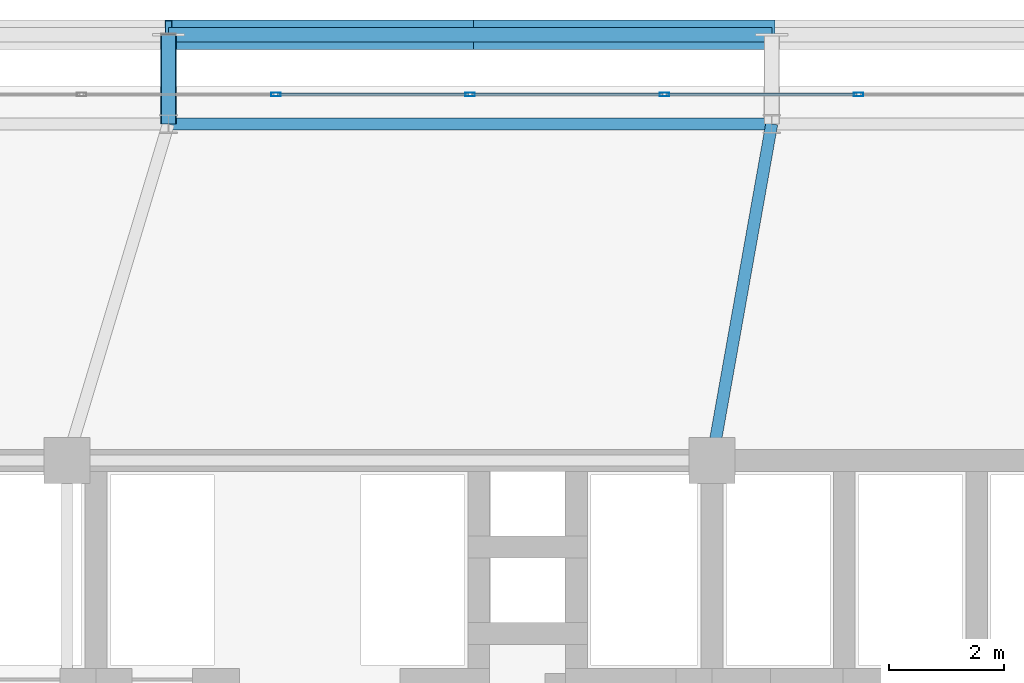
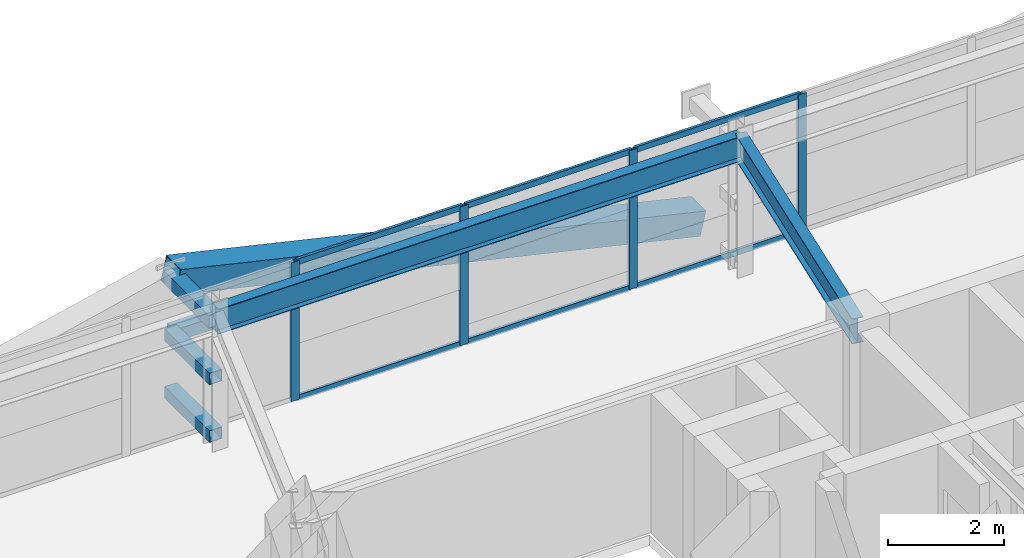
# One storey, part 37 of 59: 16 members, 2 beams, 1 element without a shape of its own.
"""IFC4 building model written with IfcOpenShell, lengths in metres."""

from ifc_helpers import new_model, si_unit, direction, frame, origin, origin_2d, place, context, subcontext, project, spatial, hollow_rectangle, i_section, extrude, source, transform, mapped, material, layer, layer_set, material_profile, profile_set, type_object, element, aggregate, save


model = new_model("IFC4")

# Units and contexts
model_context = context("Model", 3, precision=1e-05, world=origin(), true_north=direction((0.0, 1.0)))
body_context = subcontext(model_context, "Body", "Model", "MODEL_VIEW")
ifc_project = project(units=[si_unit("LENGTHUNIT", "METRE"), si_unit("AREAUNIT", "SQUARE_METRE"), si_unit("VOLUMEUNIT", "CUBIC_METRE"), si_unit("PLANEANGLEUNIT", "RADIAN"), si_unit("MASSUNIT", "GRAM", prefix="KILO")], contexts=[model_context])

# Site, building, storey
site_placement = place(None, origin())
site = spatial("IfcSite", under=ifc_project, at=site_placement, CompositionType="ELEMENT")
building_placement = place(site_placement, origin())
building = spatial("IfcBuilding", under=site, at=building_placement, Name="Taldren Reach Tower", CompositionType="ELEMENT")
storey_placement = place(building_placement, frame((0.0, 0.0, 45.14990234375)))
storey = spatial("IfcBuildingStorey", under=building, at=storey_placement, Name="L13", CompositionType="ELEMENT", Elevation=45.14990234375)

# Beams
ifc_material_1 = material(Name="Steel Gr 350 (350PLUS)", Category="steel")
ifc_material_profile_1 = material_profile(ifc_material_1, i_section(OverallWidth=0.208984375, OverallDepth=0.528076171875, WebThickness=0.009521484375, FlangeThickness=0.01318359375, at=origin_2d()), Name="530UB82.0")
ifc_profile_set_1 = profile_set([ifc_material_profile_1], Name="Steel Gr 350 (350PLUS)")
beam_type_1 = type_object("IfcBeamType", Name="SP-UB530B", PredefinedType="SPANDREL", material=ifc_profile_set_1)
shared_shape_1 = source(origin(), body_context, "Body", "SweptSolid", [
    extrude(i_section(OverallWidth=0.208984375, OverallDepth=0.528076171875, WebThickness=0.009521484375, FlangeThickness=0.01318359375, at=origin_2d()), origin(), (0.0, 0.0, 1.0), 10.47998046875),
])
beam_1_placement = place(storey_placement, frame((40.239990234375, 37.85009765625, 2.666015625), z_axis=(-1.0, 0.0, 0.0), x_axis=(0.0, -1.0, 0.0)))
element("IfcBeam", 1, at=beam_1_placement, inside=storey, type_object=beam_type_1, Name="Perimeter spandrel B1 N4-N3 L13", PredefinedType="SPANDREL", context=body_context, shape_type="MappedRepresentation", body=[
    mapped(shared_shape_1, transform((0.0, 0.0, 0.0), scale=1.0)),
])
ifc_material_profile_2 = material_profile(ifc_material_1, i_section(OverallWidth=0.208984375, OverallDepth=0.532958984375, WebThickness=0.01025390625, FlangeThickness=0.015625, at=origin_2d()), Name="530UB92.4")
ifc_profile_set_2 = profile_set([ifc_material_profile_2], Name="Steel Gr 350 (350PLUS)")
beam_type_2 = type_object("IfcBeamType", Name="BM-UB530A", PredefinedType="BEAM", material=ifc_profile_set_2)
shared_shape_2 = source(origin(), body_context, "Body", "SweptSolid", [
    extrude(i_section(OverallWidth=0.208984375, OverallDepth=0.532958984375, WebThickness=0.01025390625, FlangeThickness=0.015625, at=origin_2d()), origin(), (0.0, 0.0, 1.0), 5.94189453125),
])
beam_2_placement = place(storey_placement, frame((39.199951171875, 32.0, 2.66357421875), z_axis=(0.17503687513, 0.984561878373, 0.0), x_axis=(-0.984561878373, 0.17503687513, 0.0)))
element("IfcBeam", 2, at=beam_2_placement, inside=storey, type_object=beam_type_2, Name="Primary floor girder B1-N4 L13", PredefinedType="BEAM", context=body_context, shape_type="MappedRepresentation", body=[
    mapped(shared_shape_2, transform((0.0, 0.0, 0.0), scale=1.0)),
])

# Members
ifc_material_2 = material(Name="Steel Gr 450 (C450L0)", Category="steel")
ifc_material_profile_3 = material_profile(ifc_material_2, hollow_rectangle(XDim=0.27490234375, YDim=0.27490234375, WallThickness=0.00927734375, at=origin_2d()), Name="275x275x9.3SHS")
ifc_profile_set_3 = profile_set([ifc_material_profile_3], Name="Steel Gr 450 (C450L0)")
member_type_1 = type_object("IfcMemberType", Name="MB-TIE273", PredefinedType="STRUT", material=ifc_profile_set_3)
shared_shape_3 = source(origin(), body_context, "Body", "SweptSolid", [
    extrude(hollow_rectangle(XDim=0.27490234375, YDim=0.27490234375, WallThickness=0.00927734375, at=origin_2d()), origin(), (0.0, 0.0, 1.0), 1.5498046875),
])
member_1_placement = place(storey_placement, frame((29.760009765625, 37.85009765625, 2.650146484375), z_axis=(0.0, 1.0, 0.0), x_axis=(-1.0, 0.0, 0.0)))
element("IfcMember", 3, at=member_1_placement, inside=storey, type_object=member_type_1, Name="Exoskeleton diaphragm tie strut B1-N3 L13", PredefinedType="STRUT", context=body_context, shape_type="MappedRepresentation", body=[
    mapped(shared_shape_3, transform((0.0, 0.0, 0.0), scale=1.0)),
])
ifc_material_profile_4 = material_profile(ifc_material_2, hollow_rectangle(XDim=0.510009765625, YDim=0.510009765625, WallThickness=0.02001953125, at=origin_2d()), Name="510x510x20.0SHS")
ifc_profile_set_4 = profile_set([ifc_material_profile_4], Name="Steel Gr 450 (C450L0)")
member_type_2 = type_object("IfcMemberType", Name="MB-EXO508", PredefinedType="BRACE", material=ifc_profile_set_4)
shared_shape_4 = source(origin(), body_context, "Body", "SweptSolid", [
    extrude(hollow_rectangle(XDim=0.510009765625, YDim=0.510009765625, WallThickness=0.02001953125, at=origin_2d()), origin(), (0.0, 0.0, 1.0), 5.37890625),
])
for number, where, z_axis, x_axis, name in (
    (4, (40.239990234375, 39.39990234375, 0.22021484375), (-0.974161966843, 0.0, 0.225850531007), (0.0, -1.0, 0.0), "Exoskeleton Diagrid Brace B1-N3 L13"),
    (5, (35.0, 39.39990234375, 1.43505859375), (-0.97415197996, 0.0, 0.225893603143), (0.0, -1.0, 0.0), "Exoskeleton Diagrid Brace B1-N3 L13"),
):
    element("IfcMember", number, at=place(storey_placement, frame(where, z_axis=z_axis, x_axis=x_axis)), inside=storey, type_object=member_type_2, Name=name, PredefinedType="BRACE", context=body_context, shape_type="MappedRepresentation", body=[
        mapped(shared_shape_4, transform((0.0, 0.0, 0.0), scale=1.0)),
    ])
ifc_material_3 = material(Name="Steel Gr 350 (C350L0)", Category="steel")
ifc_material_profile_5 = material_profile(ifc_material_3, hollow_rectangle(XDim=0.25, YDim=0.25, WallThickness=0.010009765625, at=origin_2d()), Name="250x250x10.0SHS")
ifc_profile_set_5 = profile_set([ifc_material_profile_5], Name="Steel Gr 350 (C350L0)")
member_type_3 = type_object("IfcMemberType", Name="MB-POST250", PredefinedType="POST", material=ifc_profile_set_5)
shared_shape_5 = source(origin(), body_context, "Body", "SweptSolid", [
    extrude(hollow_rectangle(XDim=0.25, YDim=0.25, WallThickness=0.010009765625, at=origin_2d()), origin(), (0.0, 0.0, 1.0), 10.47998046875),
])
member_2_placement = place(storey_placement, frame((29.760009765625, 39.39990234375, 1.43505859375), z_axis=(1.0, 0.0, 0.0), x_axis=(0.0, 1.0, 0.0)))
element("IfcMember", 6, at=member_2_placement, inside=storey, type_object=member_type_3, Name="Exoskeleton mid-height ring chord B1-N3 L13", PredefinedType="POST", context=body_context, shape_type="MappedRepresentation", body=[
    mapped(shared_shape_5, transform((0.0, 0.0, 0.0), scale=1.0)),
])
shared_shape_6 = source(origin(), body_context, "Body", "SweptSolid", [
    extrude(hollow_rectangle(XDim=0.25, YDim=0.25, WallThickness=0.010009765625, at=origin_2d()), origin(), (0.0, 0.0, 1.0), 1.5498046875),
])
for number, where, z_axis, x_axis, name in (
    (7, (29.760009765625, 37.85009765625, 0.22021484375), (0.0, 1.0, 0.0), (-1.0, 0.0, 0.0), "Exoskeleton base diaphragm tie strut B1-N3 L13"),
    (8, (29.760009765625, 37.85009765625, 1.43505859375), (0.0, 1.0, 0.0), (-1.0, 0.0, 0.0), "Exoskeleton mid-tier diaphragm tie B1-N3 L13"),
):
    element("IfcMember", number, at=place(storey_placement, frame(where, z_axis=z_axis, x_axis=x_axis)), inside=storey, type_object=member_type_3, Name=name, PredefinedType="POST", context=body_context, shape_type="MappedRepresentation", body=[
        mapped(shared_shape_6, transform((0.0, 0.0, 0.0), scale=1.0)),
    ])

# Curtain wall, members
ifc_material_4 = material(Name="Aluminium and Low-E Glass Unitised System", Category="aluminium")
ifc_layer = layer(ifc_material_4, 0.159912109375)
ifc_layer_set = layer_set([ifc_layer], Name="Aluminium and Low-E Glass Unitised System")
curtain_wall_type = type_object("IfcCurtainWallType", Name="CW-SYS-2", PredefinedType="NOTDEFINED", material=ifc_layer_set)
curtain_wall_placement = place(storey_placement, origin())
curtain_wall = element("IfcCurtainWall", 9, at=curtain_wall_placement, inside=storey, type_object=curtain_wall_type, Name="Unitised curtain wall CW-L13-N", PredefinedType="NOTDEFINED")
ifc_material_5 = material(Name="Anodised Aluminium 6063-T6", Category="aluminium")
ifc_material_profile_6 = material_profile(ifc_material_5, hollow_rectangle(XDim=0.054931640625, YDim=0.1201171875, WallThickness=0.0029296875, at=origin_2d()), Name="ALU-120x55x3RHS")
ifc_profile_set_6 = profile_set([ifc_material_profile_6], Name="Anodised Aluminium 6063-T6")
member_type_4 = type_object("IfcMemberType", Name="CW-TRN-135", PredefinedType="USERDEFINED", material=ifc_profile_set_6)
shared_shape_7 = source(origin(), body_context, "Body", "SweptSolid", [
    extrude(hollow_rectangle(XDim=0.054931640625, YDim=0.1201171875, WallThickness=0.0029296875, at=origin_2d()), origin(), (0.0, 0.0, 1.0), 3.31005859375),
])
member_3_placement = place(storey_placement, frame((41.717529296875, 38.360107421875, 0.027587890625), z_axis=(-1.0, 0.0, 0.0), x_axis=(0.0, -1.0, 0.0)))
member_3 = element("IfcMember", 10, at=member_3_placement, type_object=member_type_4, Name="CW-2 transom 7.1", ObjectType="TRANSOM", PredefinedType="USERDEFINED", context=body_context, shape_type="MappedRepresentation", body=[
    mapped(shared_shape_7, transform((0.0, 0.0, 0.0), scale=1.0)),
])
member_4_placement = place(storey_placement, frame((41.717529296875, 38.360107421875, 2.902587890625), z_axis=(-1.0, 0.0, 0.0), x_axis=(0.0, -1.0, 0.0)))
member_4 = element("IfcMember", 11, at=member_4_placement, type_object=member_type_4, Name="CW-2 transom 7.2", ObjectType="TRANSOM", PredefinedType="USERDEFINED", context=body_context, shape_type="MappedRepresentation", body=[
    mapped(shared_shape_7, transform((0.0, 0.0, 0.0), scale=1.0)),
])
member_5_placement = place(storey_placement, frame((38.342529296875, 38.360107421875, 0.027587890625), z_axis=(-1.0, 0.0, 0.0), x_axis=(0.0, -1.0, 0.0)))
member_5 = element("IfcMember", 12, at=member_5_placement, type_object=member_type_4, Name="CW-2 transom 8.1", ObjectType="TRANSOM", PredefinedType="USERDEFINED", context=body_context, shape_type="MappedRepresentation", body=[
    mapped(shared_shape_7, transform((0.0, 0.0, 0.0), scale=1.0)),
])
member_6_placement = place(storey_placement, frame((38.342529296875, 38.360107421875, 2.902587890625), z_axis=(-1.0, 0.0, 0.0), x_axis=(0.0, -1.0, 0.0)))
member_6 = element("IfcMember", 13, at=member_6_placement, type_object=member_type_4, Name="CW-2 transom 8.2", ObjectType="TRANSOM", PredefinedType="USERDEFINED", context=body_context, shape_type="MappedRepresentation", body=[
    mapped(shared_shape_7, transform((0.0, 0.0, 0.0), scale=1.0)),
])
member_7_placement = place(storey_placement, frame((34.967529296875, 38.360107421875, 0.027587890625), z_axis=(-1.0, 0.0, 0.0), x_axis=(0.0, -1.0, 0.0)))
member_7 = element("IfcMember", 14, at=member_7_placement, type_object=member_type_4, Name="CW-2 transom 9.1", ObjectType="TRANSOM", PredefinedType="USERDEFINED", context=body_context, shape_type="MappedRepresentation", body=[
    mapped(shared_shape_7, transform((0.0, 0.0, 0.0), scale=1.0)),
])
member_8_placement = place(storey_placement, frame((34.967529296875, 38.360107421875, 2.902587890625), z_axis=(-1.0, 0.0, 0.0), x_axis=(0.0, -1.0, 0.0)))
member_8 = element("IfcMember", 15, at=member_8_placement, type_object=member_type_4, Name="CW-2 transom 9.2", ObjectType="TRANSOM", PredefinedType="USERDEFINED", context=body_context, shape_type="MappedRepresentation", body=[
    mapped(shared_shape_7, transform((0.0, 0.0, 0.0), scale=1.0)),
])
ifc_material_profile_7 = material_profile(ifc_material_5, hollow_rectangle(XDim=0.06494140625, YDim=0.1650390625, WallThickness=0.00390625, at=origin_2d()), Name="ALU-165x65x4RHS")
ifc_profile_set_7 = profile_set([ifc_material_profile_7], Name="Anodised Aluminium 6063-T6")
member_type_5 = type_object("IfcMemberType", Name="CW-MUL-165", PredefinedType="MULLION", material=ifc_profile_set_7)
shared_shape_8 = source(origin(), body_context, "Body", "SweptSolid", [
    extrude(hollow_rectangle(XDim=0.06494140625, YDim=0.1650390625, WallThickness=0.00390625, at=origin_2d()), origin(), (0.0, 0.0, 1.0), 2.93017578125),
])
member_9_placement = place(storey_placement, frame((41.75, 38.360107421875, 0.0), z_axis=(0.0, 0.0, 1.0), x_axis=(0.0, -1.0, 0.0)))
member_9 = element("IfcMember", 16, at=member_9_placement, type_object=member_type_5, Name="CW-2 mullion 7", PredefinedType="MULLION", context=body_context, shape_type="MappedRepresentation", body=[
    mapped(shared_shape_8, transform((0.0, 0.0, 0.0), scale=1.0)),
])
member_10_placement = place(storey_placement, frame((38.375, 38.360107421875, 0.0), z_axis=(0.0, 0.0, 1.0), x_axis=(0.0, -1.0, 0.0)))
member_10 = element("IfcMember", 17, at=member_10_placement, type_object=member_type_5, Name="CW-2 mullion 8", PredefinedType="MULLION", context=body_context, shape_type="MappedRepresentation", body=[
    mapped(shared_shape_8, transform((0.0, 0.0, 0.0), scale=1.0)),
])
member_11_placement = place(storey_placement, frame((35.0, 38.360107421875, 0.0), z_axis=(0.0, 0.0, 1.0), x_axis=(0.0, -1.0, 0.0)))
member_11 = element("IfcMember", 18, at=member_11_placement, type_object=member_type_5, Name="CW-2 mullion 9", PredefinedType="MULLION", context=body_context, shape_type="MappedRepresentation", body=[
    mapped(shared_shape_8, transform((0.0, 0.0, 0.0), scale=1.0)),
])
member_12_placement = place(storey_placement, frame((31.625, 38.360107421875, 0.0), z_axis=(0.0, 0.0, 1.0), x_axis=(0.0, -1.0, 0.0)))
member_12 = element("IfcMember", 19, at=member_12_placement, type_object=member_type_5, Name="CW-2 mullion 10", PredefinedType="MULLION", context=body_context, shape_type="MappedRepresentation", body=[
    mapped(shared_shape_8, transform((0.0, 0.0, 0.0), scale=1.0)),
])
aggregate(curtain_wall, [member_9, member_10, member_11, member_12, member_3, member_4, member_5, member_6, member_7, member_8])

save(model, "model.ifc")
